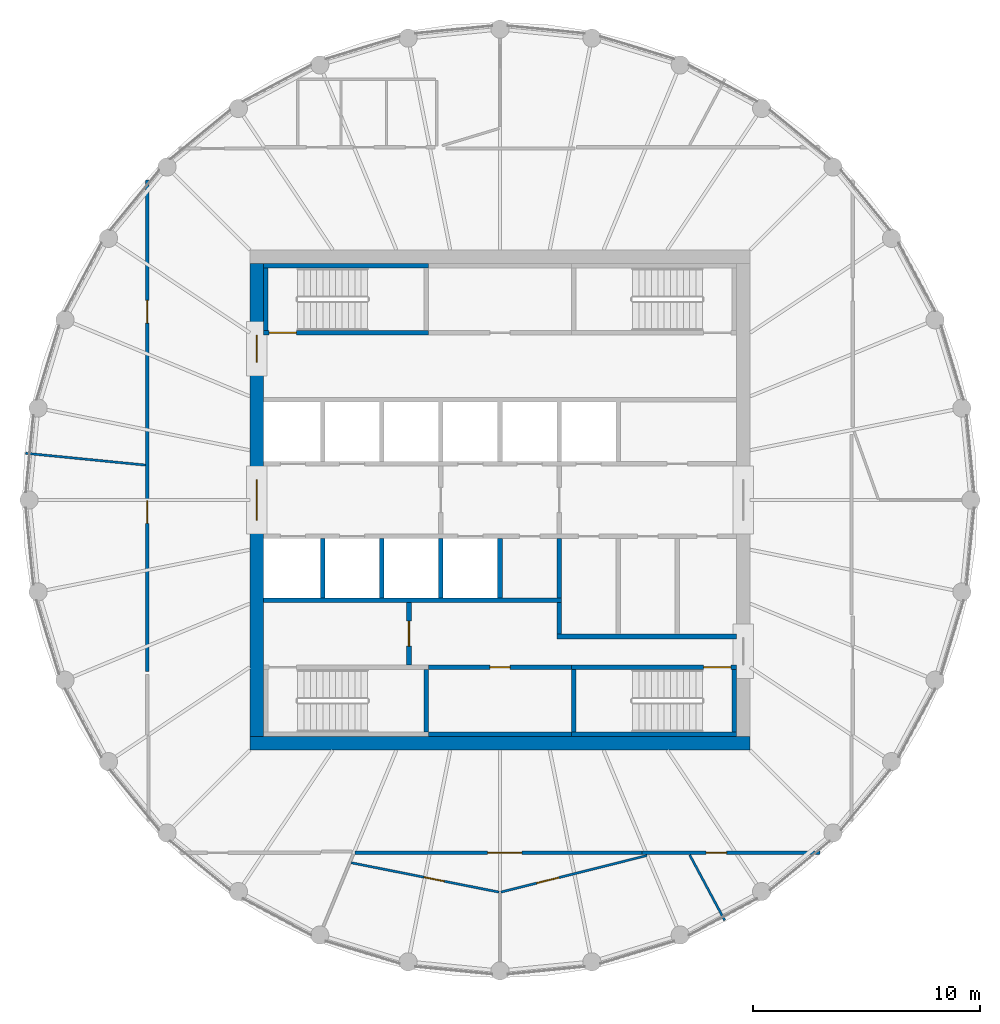
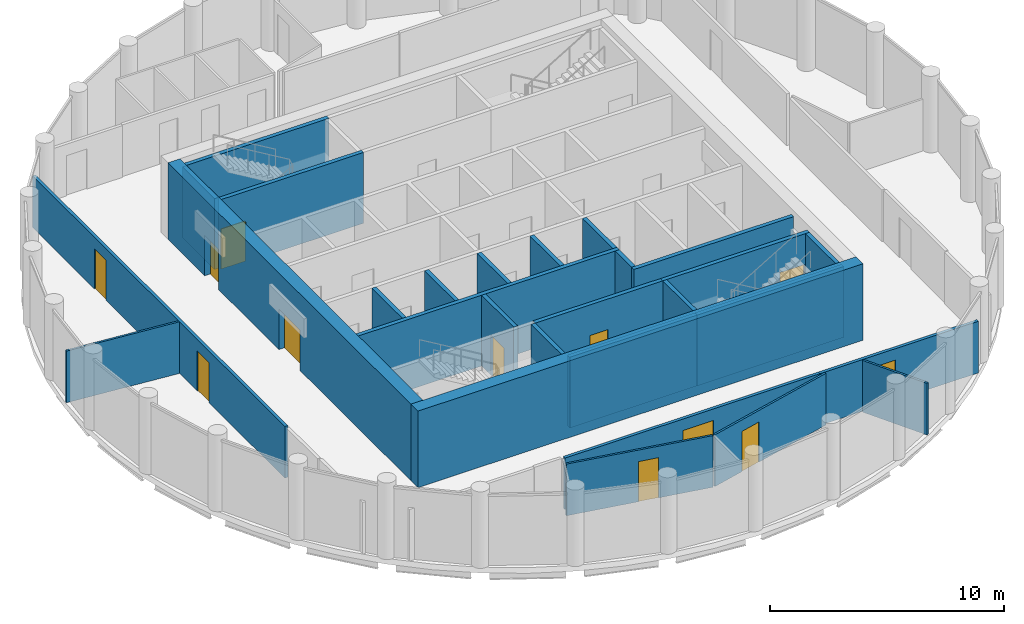
# One storey, part 4 of 7: 28 walls, 12 doors, 12 openings.
"""IFC4 building model written with IfcOpenShell, lengths in metres."""

from ifc_helpers import new_model, si_unit, direction, frame, frame_2d, origin, place, context, subcontext, project, spatial, polyline, rectangle, outline, extrude, material, layer, layer_set, type_object, element, fill, save


model = new_model("IFC4")

# Units and contexts
model_context = context("Model", 3, precision=1e-05, world=origin(), true_north=direction((0.0, 1.0)))
body_context = subcontext(model_context, "Body", "Model", "MODEL_VIEW")
ifc_project = project(units=[si_unit("LENGTHUNIT", "METRE"), si_unit("AREAUNIT", "SQUARE_METRE"), si_unit("VOLUMEUNIT", "CUBIC_METRE"), si_unit("PLANEANGLEUNIT", "RADIAN"), si_unit("MASSUNIT", "GRAM", prefix="KILO")], contexts=[model_context])

# Site, building, storey
site_placement = place(None, origin())
site = spatial("IfcSite", under=ifc_project, at=site_placement, CompositionType="ELEMENT")
building_placement = place(site_placement, origin())
building = spatial("IfcBuilding", under=site, at=building_placement, Name="Corvane Civic Tower", CompositionType="ELEMENT")
storey_placement = place(building_placement, frame((0.0, 0.0, 364.5)))
storey = spatial("IfcBuildingStorey", under=building, at=storey_placement, Name="L87", CompositionType="ELEMENT", Elevation=364.5)

# Wall
ifc_material_1 = material(Name="Concrete C40/50", Category="concrete")
ifc_layer_1 = layer(ifc_material_1, 0.60009765625)
ifc_layer_set_1 = layer_set([ifc_layer_1], Name="Concrete C40/50")
wall_type_1 = type_object("IfcWallType", Name="CORE WALL 600 C40/50", PredefinedType="SHEAR", material=ifc_layer_set_1)
wall_1_placement = place(storey_placement, frame((-11.0, -10.699951171875, 0.0), z_axis=(0.0, 0.0, 1.0), x_axis=(1.0, 0.0, 0.0)))
element("IfcWall", 1, at=wall_1_placement, inside=storey, type_object=wall_type_1, Name="W-L87-core-S", PredefinedType="SHEAR", context=body_context, shape_type="SweptSolid", body=[
    extrude(rectangle(XDim=22.0, YDim=0.60009765625, at=frame_2d((11.0, 0.0))), origin(), (0.0, 0.0, 1.0), 4.0),
])

# Wall, openings, doors
wall_2_placement = place(storey_placement, frame((-10.699951171875, -10.39990234375, 0.0), z_axis=(0.0, 0.0, 1.0), x_axis=(0.0, 1.0, 0.0)))
wall_2 = element("IfcWall", 2, at=wall_2_placement, inside=storey, type_object=wall_type_1, Name="W-L87-core-W", PredefinedType="SHEAR", context=body_context, shape_type="SweptSolid", body=[
    extrude(rectangle(XDim=20.7998046875, YDim=0.60009765625, at=frame_2d((10.39990234375, 0.0))), origin(), (0.0, 0.0, 1.0), 4.0),
])
opening_1_placement = place(wall_2_placement, frame((9.5, 0.0, 0.0)))
opening_1 = element("IfcOpeningElement", 3, at=opening_1_placement, cuts=wall_2, Name="Opening L87.C15", PredefinedType="OPENING", context=body_context, shape_type="SweptSolid", body=[
    extrude(rectangle(XDim=1.800048828125, YDim=2.10009765625, at=frame_2d((0.89990234375, 1.050048828125))), frame((0.0, 0.31005859375, 0.0), z_axis=(0.0, -1.0, 0.0), x_axis=(1.0, 0.0, 0.0)), (0.0, 0.0, 1.0), 0.6201171875),
])
opening_2_placement = place(wall_2_placement, frame((16.449951171875, 0.0, 0.0)))
opening_2 = element("IfcOpeningElement", 4, at=opening_2_placement, cuts=wall_2, Name="Opening L87.C17", PredefinedType="OPENING", context=body_context, shape_type="SweptSolid", body=[
    extrude(rectangle(XDim=1.199951171875, YDim=2.10009765625, at=frame_2d((0.60009765625, 1.050048828125))), frame((0.0, 0.31005859375, 0.0), z_axis=(0.0, -1.0, 0.0), x_axis=(1.0, 0.0, 0.0)), (0.0, 0.0, 1.0), 0.6201171875),
])
ifc_material_2 = material(Name="Steel fire door leaf", Category="steel")
door_type_1 = type_object("IfcDoorType", Name="CR-DOOR-CORE-1800", OperationType="DOUBLE_DOOR_SINGLE_SWING", PredefinedType="DOOR", material=ifc_material_2)
door_1_placement = place(opening_1_placement, origin())
door_1 = element("IfcDoor", 5, at=door_1_placement, inside=storey, type_object=door_type_1, Name="L87 door", OperationType="DOUBLE_DOOR_SINGLE_SWING", OverallHeight=2.10009765625, OverallWidth=1.800048828125, PredefinedType="DOOR", context=body_context, shape_type="SweptSolid", body=[
    extrude(rectangle(XDim=1.800048828125, YDim=2.10009765625, at=frame_2d((0.89990234375, 1.050048828125))), frame((0.0, 0.02490234375, 0.0), z_axis=(0.0, -1.0, 0.0), x_axis=(1.0, 0.0, 0.0)), (0.0, 0.0, 1.0), 0.050048828125),
])
fill(opening_1, door_1)
door_2_placement = place(opening_2_placement, origin())
door_2 = element("IfcDoor", 6, at=door_2_placement, inside=storey, type_object=door_type_1, Name="L87 door", OperationType="DOUBLE_DOOR_SINGLE_SWING", OverallHeight=2.10009765625, OverallWidth=1.199951171875, PredefinedType="DOOR", context=body_context, shape_type="SweptSolid", body=[
    extrude(rectangle(XDim=1.199951171875, YDim=2.10009765625, at=frame_2d((0.60009765625, 1.050048828125))), frame((0.0, 0.02490234375, 0.0), z_axis=(0.0, -1.0, 0.0), x_axis=(1.0, 0.0, 0.0)), (0.0, 0.0, 1.0), 0.050048828125),
])
fill(opening_2, door_2)

# Wall, opening, door
ifc_material_3 = material(Name="Concrete C30/37", Category="concrete")
ifc_layer_2 = layer(ifc_material_3, 0.199951171875)
ifc_layer_set_2 = layer_set([ifc_layer_2], Name="Concrete C30/37")
wall_type_2 = type_object("IfcWallType", Name="CR-WALL-200", PredefinedType="PARTITIONING", material=ifc_layer_set_2)
wall_3_placement = place(storey_placement, frame((-3.14990234375, -7.35009765625, 0.0), z_axis=(0.0, 0.0, 1.0), x_axis=(1.0, 0.0, 0.0)))
wall_3 = element("IfcWall", 7, at=wall_3_placement, inside=storey, type_object=wall_type_2, Name="L87 core partition wall", PredefinedType="PARTITIONING", context=body_context, shape_type="SweptSolid", body=[
    extrude(rectangle(XDim=6.2998046875, YDim=0.199951171875, at=frame_2d((3.14990234375, 0.0))), origin(), (0.0, 0.0, 1.0), 3.699951171875),
])
opening_3_placement = place(wall_3_placement, frame((2.699951171875, 0.0, 0.0)))
opening_3 = element("IfcOpeningElement", 8, at=opening_3_placement, cuts=wall_3, Name="Opening L87.C07", PredefinedType="OPENING", context=body_context, shape_type="SweptSolid", body=[
    extrude(rectangle(XDim=0.89990234375, YDim=2.10009765625, at=frame_2d((0.449951171875, 1.050048828125))), frame((0.0, 0.10986328125, 0.0), z_axis=(0.0, -1.0, 0.0), x_axis=(1.0, 0.0, 0.0)), (0.0, 0.0, 1.0), 0.219970703125),
])
ifc_material_4 = material(Name="Steel fire door leaf", Category="steel")
door_type_2 = type_object("IfcDoorType", Name="CR-DOOR-900", OperationType="SINGLE_SWING_LEFT", PredefinedType="DOOR", material=ifc_material_4)
door_3_placement = place(opening_3_placement, origin())
door_3 = element("IfcDoor", 9, at=door_3_placement, inside=storey, type_object=door_type_2, Name="L87 door", OperationType="SINGLE_SWING_LEFT", OverallHeight=2.10009765625, OverallWidth=0.89990234375, PredefinedType="DOOR", context=body_context, shape_type="SweptSolid", body=[
    extrude(rectangle(XDim=0.89990234375, YDim=2.10009765625, at=frame_2d((0.449951171875, 1.050048828125))), frame((0.0, 0.02490234375, 0.0), z_axis=(0.0, -1.0, 0.0), x_axis=(1.0, 0.0, 0.0)), (0.0, 0.0, 1.0), 0.050048828125),
])
fill(opening_3, door_3)

wall_4_placement = place(storey_placement, frame((-4.0, -7.25, 0.0), z_axis=(0.0, 0.0, 1.0), x_axis=(0.0, 1.0, 0.0)))
wall_4 = element("IfcWall", 10, at=wall_4_placement, inside=storey, type_object=wall_type_2, Name="L87 core partition wall", PredefinedType="PARTITIONING", context=body_context, shape_type="SweptSolid", body=[
    extrude(rectangle(XDim=2.75, YDim=0.199951171875, at=frame_2d((1.375, 0.0))), origin(), (0.0, 0.0, 1.0), 3.699951171875),
])
opening_4_placement = place(wall_4_placement, frame((0.824951171875, 0.0, 0.0)))
opening_4 = element("IfcOpeningElement", 11, at=opening_4_placement, cuts=wall_4, Name="Opening L87.C14", PredefinedType="OPENING", context=body_context, shape_type="SweptSolid", body=[
    extrude(rectangle(XDim=1.10009765625, YDim=2.10009765625, at=frame_2d((0.550048828125, 1.050048828125))), frame((0.0, 0.10986328125, 0.0), z_axis=(0.0, -1.0, 0.0), x_axis=(1.0, 0.0, 0.0)), (0.0, 0.0, 1.0), 0.219970703125),
])
ifc_material_5 = material(Name="Steel fire door leaf", Category="steel")
door_type_3 = type_object("IfcDoorType", Name="CR-DOOR-FFL-1100", OperationType="SINGLE_SWING_LEFT", PredefinedType="DOOR", material=ifc_material_5)
door_4_placement = place(opening_4_placement, origin())
door_4 = element("IfcDoor", 12, at=door_4_placement, inside=storey, type_object=door_type_3, Name="L87 lobby door", OperationType="SINGLE_SWING_LEFT", OverallHeight=2.10009765625, OverallWidth=1.10009765625, PredefinedType="DOOR", context=body_context, shape_type="SweptSolid", body=[
    extrude(rectangle(XDim=1.10009765625, YDim=2.10009765625, at=frame_2d((0.550048828125, 1.050048828125))), frame((0.0, 0.02490234375, 0.0), z_axis=(0.0, -1.0, 0.0), x_axis=(1.0, 0.0, 0.0)), (0.0, 0.0, 1.0), 0.050048828125),
])
fill(opening_4, door_4)

# Walls
wall_5_placement = place(storey_placement, origin())
element("IfcWall", 13, at=wall_5_placement, inside=storey, type_object=wall_type_2, Name="L87 core partition wall", PredefinedType="PARTITIONING", context=body_context, shape_type="SweptSolid", body=[
    extrude(outline(polyline([(2.699951171875, -4.300048828125), (2.699951171875, -4.5), (-10.39990234375, -4.5), (-10.39990234375, -4.300048828125), (2.699951171875, -4.300048828125)])), origin(), (0.0, 0.0, 1.0), 3.699951171875),
])
wall_6_placement = place(storey_placement, origin())
element("IfcWall", 14, at=wall_6_placement, inside=storey, type_object=wall_type_2, Name="L87 core partition wall", PredefinedType="PARTITIONING", context=body_context, shape_type="SweptSolid", body=[
    extrude(outline(polyline([(10.39990234375, -6.10009765625), (2.5, -6.10009765625), (2.5, -5.89990234375), (10.39990234375, -5.89990234375), (10.39990234375, -6.10009765625)])), origin(), (0.0, 0.0, 1.0), 3.699951171875),
])
wall_7_placement = place(storey_placement, origin())
element("IfcWall", 15, at=wall_7_placement, inside=storey, type_object=wall_type_2, Name="L87 core partition wall", PredefinedType="PARTITIONING", context=body_context, shape_type="SweptSolid", body=[
    extrude(outline(polyline([(-2.5, -1.699951171875), (-2.5, -4.2998046875), (-2.699951171875, -4.2998046875), (-2.699951171875, -1.699951171875), (-2.5, -1.699951171875)])), origin(), (0.0, 0.0, 1.0), 3.699951171875),
])
wall_8_placement = place(storey_placement, origin())
element("IfcWall", 16, at=wall_8_placement, inside=storey, type_object=wall_type_2, Name="L87 core partition wall", PredefinedType="PARTITIONING", context=body_context, shape_type="SweptSolid", body=[
    extrude(outline(polyline([(2.699951171875, -1.699951171875), (2.699951171875, -4.2998046875), (2.5, -4.2998046875), (2.5, -1.699951171875), (2.699951171875, -1.699951171875)])), origin(), (0.0, 0.0, 1.0), 3.699951171875),
])
wall_9_placement = place(storey_placement, origin())
element("IfcWall", 17, at=wall_9_placement, inside=storey, type_object=wall_type_2, Name="L87 core partition wall", PredefinedType="PARTITIONING", context=body_context, shape_type="SweptSolid", body=[
    extrude(outline(polyline([(0.10009765625, -1.699951171875), (0.10009765625, -4.2998046875), (-0.10009765625, -4.2998046875), (-0.10009765625, -1.699951171875), (0.10009765625, -1.699951171875)])), origin(), (0.0, 0.0, 1.0), 3.699951171875),
])
wall_10_placement = place(storey_placement, origin())
element("IfcWall", 18, at=wall_10_placement, inside=storey, type_object=wall_type_2, Name="L87 core partition wall", PredefinedType="PARTITIONING", context=body_context, shape_type="SweptSolid", body=[
    extrude(outline(polyline([(-7.699951171875, -1.699951171875), (-7.699951171875, -4.2998046875), (-7.89990234375, -4.2998046875), (-7.89990234375, -1.699951171875), (-7.699951171875, -1.699951171875)])), origin(), (0.0, 0.0, 1.0), 3.699951171875),
])
wall_11_placement = place(storey_placement, origin())
element("IfcWall", 19, at=wall_11_placement, inside=storey, type_object=wall_type_2, Name="L87 core partition wall", PredefinedType="PARTITIONING", context=body_context, shape_type="SweptSolid", body=[
    extrude(outline(polyline([(-5.10009765625, -1.699951171875), (-5.10009765625, -4.2998046875), (-5.300048828125, -4.2998046875), (-5.300048828125, -1.699951171875), (-5.10009765625, -1.699951171875)])), origin(), (0.0, 0.0, 1.0), 3.699951171875),
])
wall_12_placement = place(storey_placement, origin())
element("IfcWall", 20, at=wall_12_placement, inside=storey, type_object=wall_type_2, Name="L87 core partition wall", PredefinedType="PARTITIONING", context=body_context, shape_type="SweptSolid", body=[
    extrude(outline(polyline([(2.699951171875, -5.89990234375), (2.5, -5.89990234375), (2.5, -4.5), (2.699951171875, -4.5), (2.699951171875, -5.89990234375)])), origin(), (0.0, 0.0, 1.0), 3.699951171875),
])
wall_13_placement = place(storey_placement, origin())
element("IfcWall", 21, at=wall_13_placement, inside=storey, type_object=wall_type_2, Name="L87 core partition wall", PredefinedType="PARTITIONING", context=body_context, shape_type="SweptSolid", body=[
    extrude(outline(polyline([(3.14990234375, -10.199951171875), (3.14990234375, -10.39990234375), (-3.14990234375, -10.39990234375), (-3.14990234375, -10.199951171875), (3.14990234375, -10.199951171875)])), origin(), (0.0, 0.0, 1.0), 3.699951171875),
])
ifc_material_6 = material(Name="Plasterboard")
ifc_layer_3 = layer(ifc_material_6, 0.10009765625)
ifc_layer_set_3 = layer_set([ifc_layer_3], Name="Plasterboard")
wall_type_3 = type_object("IfcWallType", Name="Partition 100 plasterboard on studs", PredefinedType="PARTITIONING", material=ifc_layer_set_3)
wall_14_placement = place(storey_placement, frame((8.337646484375, -15.5986328125, 0.0), z_axis=(0.0, 0.0, 1.0), x_axis=(0.471438475103, -0.881898953505, 0.0)))
element("IfcWall", 22, at=wall_14_placement, inside=storey, type_object=wall_type_3, Name="Partition L87.003", PredefinedType="PARTITIONING", context=body_context, shape_type="SweptSolid", body=[
    extrude(rectangle(XDim=3.262939453125, YDim=0.10009765625, at=frame_2d((1.63134765625, 0.0))), origin(), (0.0, 0.0, 1.0), 2.699951171875),
])

# Wall, opening, door
wall_15_placement = place(storey_placement, frame((-6.539794921875, -15.94482421875, 0.0), z_axis=(0.0, 0.0, 1.0), x_axis=(0.980781368201, -0.195109988956, 0.0)))
wall_15 = element("IfcWall", 23, at=wall_15_placement, inside=storey, type_object=wall_type_3, Name="Partition L87.004", PredefinedType="PARTITIONING", context=body_context, shape_type="SweptSolid", body=[
    extrude(rectangle(XDim=6.626953125, YDim=0.10009765625, at=frame_2d((3.3134765625, 0.0))), origin(), (0.0, 0.0, 1.0), 2.699951171875),
])
opening_5_placement = place(wall_15_placement, frame((3.2666015625, 0.0, 0.0)))
opening_5 = element("IfcOpeningElement", 24, at=opening_5_placement, cuts=wall_15, Name="Opening L87.014", PredefinedType="OPENING", context=body_context, shape_type="SweptSolid", body=[
    extrude(rectangle(XDim=0.89990234375, YDim=2.10009765625, at=frame_2d((0.449951171875, 1.050048828125))), frame((0.0, 0.06005859375, 0.0), z_axis=(0.0, -1.0, 0.0), x_axis=(1.0, 0.0, 0.0)), (0.0, 0.0, 1.0), 0.1201171875),
])
ifc_material_7 = material(Name="Timber", Category="wood")
door_type_4 = type_object("IfcDoorType", Name="Single door 900", OperationType="NOTDEFINED", PredefinedType="DOOR", material=ifc_material_7)
door_5_placement = place(opening_5_placement, frame((0.89990234375, 0.0, 0.0), z_axis=(0.0, 0.0, 1.0), x_axis=(-1.0, 0.0, 0.0)))
door_5 = element("IfcDoor", 25, at=door_5_placement, inside=storey, type_object=door_type_4, Name="Door L87.014", OperationType="SINGLE_SWING_LEFT", OverallHeight=2.10009765625, OverallWidth=0.89990234375, PredefinedType="DOOR", context=body_context, shape_type="SweptSolid", body=[
    extrude(rectangle(XDim=0.89990234375, YDim=2.10009765625, at=frame_2d((0.449951171875, 1.050048828125))), frame((0.0, 0.02490234375, 0.0), z_axis=(0.0, -1.0, 0.0), x_axis=(1.0, 0.0, 0.0)), (0.0, 0.0, 1.0), 0.050048828125),
])
fill(opening_5, door_5)

wall_16_placement = place(storey_placement, frame((0.037841796875, -17.236328125, 0.0), z_axis=(0.0, 0.0, 1.0), x_axis=(0.970031803934, 0.242977981216, 0.0)))
wall_16 = element("IfcWall", 26, at=wall_16_placement, inside=storey, type_object=wall_type_3, Name="Partition L87.005", PredefinedType="PARTITIONING", context=body_context, shape_type="SweptSolid", body=[
    extrude(rectangle(XDim=6.62255859375, YDim=0.10009765625, at=frame_2d((3.311279296875, 0.0))), origin(), (0.0, 0.0, 1.0), 2.699951171875),
])
opening_6_placement = place(wall_16_placement, frame((1.625244140625, 0.0, 0.0)))
opening_6 = element("IfcOpeningElement", 27, at=opening_6_placement, cuts=wall_16, Name="Opening L87.013", PredefinedType="OPENING", context=body_context, shape_type="SweptSolid", body=[
    extrude(rectangle(XDim=1.0, YDim=2.10009765625, at=frame_2d((0.5, 1.050048828125))), frame((0.0, 0.06005859375, 0.0), z_axis=(0.0, -1.0, 0.0), x_axis=(1.0, 0.0, 0.0)), (0.0, 0.0, 1.0), 0.1201171875),
])
ifc_material_8 = material(Name="Timber", Category="wood")
door_type_5 = type_object("IfcDoorType", Name="Single door 1000", OperationType="NOTDEFINED", PredefinedType="DOOR", material=ifc_material_8)
door_6_placement = place(opening_6_placement, frame((1.0, 0.0, 0.0), z_axis=(0.0, 0.0, 1.0), x_axis=(-1.0, 0.0, 0.0)))
door_6 = element("IfcDoor", 28, at=door_6_placement, inside=storey, type_object=door_type_5, Name="Door L87.013", OperationType="SINGLE_SWING_RIGHT", OverallHeight=2.10009765625, OverallWidth=1.0, PredefinedType="DOOR", context=body_context, shape_type="SweptSolid", body=[
    extrude(rectangle(XDim=1.0, YDim=2.10009765625, at=frame_2d((0.5, 1.050048828125))), frame((0.0, 0.02490234375, 0.0), z_axis=(0.0, -1.0, 0.0), x_axis=(1.0, 0.0, 0.0)), (0.0, 0.0, 1.0), 0.050048828125),
])
fill(opening_6, door_6)

# Wall
wall_17_placement = place(storey_placement, frame((-20.849365234375, 2.053466796875, 0.0), z_axis=(0.0, 0.0, 1.0), x_axis=(0.995184000064, -0.098024517427, 0.0)))
element("IfcWall", 29, at=wall_17_placement, inside=storey, type_object=wall_type_3, Name="Partition L87.018", PredefinedType="PARTITIONING", context=body_context, shape_type="SweptSolid", body=[
    extrude(rectangle(XDim=5.294921875, YDim=0.10009765625, at=frame_2d((2.6474609375, 0.0))), origin(), (0.0, 0.0, 1.0), 2.699951171875),
])

# Wall, opening, door
ifc_material_9 = material(Name="Concrete C50/60", Category="concrete")
ifc_layer_4 = layer(ifc_material_9, 0.199951171875)
ifc_layer_set_4 = layer_set([ifc_layer_4], Name="Concrete C50/60")
wall_type_4 = type_object("IfcWallType", Name="ST-WALL-200", PredefinedType="SHEAR", material=ifc_layer_set_4)
wall_18_placement = place(storey_placement, frame((3.14990234375, -7.35009765625, 0.0), z_axis=(0.0, 0.0, 1.0), x_axis=(1.0, 0.0, 0.0)))
wall_18 = element("IfcWall", 30, at=wall_18_placement, inside=storey, type_object=wall_type_4, Name="L87 stair enclosure wall", PredefinedType="SHEAR", context=body_context, shape_type="SweptSolid", body=[
    extrude(rectangle(XDim=7.25, YDim=0.199951171875, at=frame_2d((3.625, 0.0))), origin(), (0.0, 0.0, 1.0), 3.699951171875),
])
opening_7_placement = place(wall_18_placement, frame((5.800048828125, 0.0, 0.0)))
opening_7 = element("IfcOpeningElement", 31, at=opening_7_placement, cuts=wall_18, Name="Opening L87.C10", PredefinedType="OPENING", context=body_context, shape_type="SweptSolid", body=[
    extrude(rectangle(XDim=1.199951171875, YDim=2.10009765625, at=frame_2d((0.60009765625, 1.050048828125))), frame((0.0, 0.10986328125, 0.0), z_axis=(0.0, -1.0, 0.0), x_axis=(1.0, 0.0, 0.0)), (0.0, 0.0, 1.0), 0.219970703125),
])
ifc_material_10 = material(Name="Steel fire door leaf", Category="steel")
door_type_6 = type_object("IfcDoorType", Name="ST-DOOR-1200", OperationType="SINGLE_SWING_RIGHT", PredefinedType="DOOR", material=ifc_material_10)
door_7_placement = place(opening_7_placement, origin())
door_7 = element("IfcDoor", 32, at=door_7_placement, inside=storey, type_object=door_type_6, Name="L87 stair door", OperationType="SINGLE_SWING_RIGHT", OverallHeight=2.10009765625, OverallWidth=1.199951171875, PredefinedType="DOOR", context=body_context, shape_type="SweptSolid", body=[
    extrude(rectangle(XDim=1.199951171875, YDim=2.10009765625, at=frame_2d((0.60009765625, 1.050048828125))), frame((0.0, 0.02490234375, 0.0), z_axis=(0.0, -1.0, 0.0), x_axis=(1.0, 0.0, 0.0)), (0.0, 0.0, 1.0), 0.050048828125),
])
fill(opening_7, door_7)

wall_19_placement = place(storey_placement, frame((-10.39990234375, 7.35009765625, 0.0), z_axis=(0.0, 0.0, 1.0), x_axis=(1.0, 0.0, 0.0)))
wall_19 = element("IfcWall", 33, at=wall_19_placement, inside=storey, type_object=wall_type_4, Name="L87 stair enclosure wall", PredefinedType="SHEAR", context=body_context, shape_type="SweptSolid", body=[
    extrude(rectangle(XDim=7.25, YDim=0.199951171875, at=frame_2d((3.625, 0.0))), origin(), (0.0, 0.0, 1.0), 3.699951171875),
])
opening_8_placement = place(wall_19_placement, frame((0.25, 0.0, 0.0)))
opening_8 = element("IfcOpeningElement", 34, at=opening_8_placement, cuts=wall_19, Name="Opening L87.C09", PredefinedType="OPENING", context=body_context, shape_type="SweptSolid", body=[
    extrude(rectangle(XDim=1.199951171875, YDim=2.10009765625, at=frame_2d((0.60009765625, 1.050048828125))), frame((0.0, 0.10986328125, 0.0), z_axis=(0.0, -1.0, 0.0), x_axis=(1.0, 0.0, 0.0)), (0.0, 0.0, 1.0), 0.219970703125),
])
door_8_placement = place(opening_8_placement, origin())
door_8 = element("IfcDoor", 35, at=door_8_placement, inside=storey, type_object=door_type_6, Name="L87 stair door", OperationType="SINGLE_SWING_RIGHT", OverallHeight=2.10009765625, OverallWidth=1.199951171875, PredefinedType="DOOR", context=body_context, shape_type="SweptSolid", body=[
    extrude(rectangle(XDim=1.199951171875, YDim=2.10009765625, at=frame_2d((0.60009765625, 1.050048828125))), frame((0.0, 0.02490234375, 0.0), z_axis=(0.0, -1.0, 0.0), x_axis=(1.0, 0.0, 0.0)), (0.0, 0.0, 1.0), 0.050048828125),
])
fill(opening_8, door_8)

# Walls
wall_20_placement = place(storey_placement, origin())
element("IfcWall", 36, at=wall_20_placement, inside=storey, type_object=wall_type_4, Name="L87 stair enclosure wall", PredefinedType="SHEAR", context=body_context, shape_type="SweptSolid", body=[
    extrude(outline(polyline([(-3.14990234375, 10.199951171875), (-10.39990234375, 10.199951171875), (-10.39990234375, 10.39990234375), (-3.14990234375, 10.39990234375), (-3.14990234375, 10.199951171875)])), origin(), (0.0, 0.0, 1.0), 3.699951171875),
])
wall_21_placement = place(storey_placement, origin())
element("IfcWall", 37, at=wall_21_placement, inside=storey, type_object=wall_type_4, Name="L87 stair enclosure wall", PredefinedType="SHEAR", context=body_context, shape_type="SweptSolid", body=[
    extrude(outline(polyline([(10.39990234375, -10.39990234375), (3.14990234375, -10.39990234375), (3.14990234375, -10.199951171875), (10.39990234375, -10.199951171875), (10.39990234375, -10.39990234375)])), origin(), (0.0, 0.0, 1.0), 3.699951171875),
])
wall_22_placement = place(storey_placement, origin())
element("IfcWall", 38, at=wall_22_placement, inside=storey, type_object=wall_type_4, Name="L87 stair enclosure wall", PredefinedType="SHEAR", context=body_context, shape_type="SweptSolid", body=[
    extrude(outline(polyline([(-3.14990234375, -7.449951171875), (-3.14990234375, -10.199951171875), (-3.35009765625, -10.199951171875), (-3.35009765625, -7.449951171875), (-3.14990234375, -7.449951171875)])), origin(), (0.0, 0.0, 1.0), 3.699951171875),
])
wall_23_placement = place(storey_placement, origin())
element("IfcWall", 39, at=wall_23_placement, inside=storey, type_object=wall_type_4, Name="L87 stair enclosure wall", PredefinedType="SHEAR", context=body_context, shape_type="SweptSolid", body=[
    extrude(outline(polyline([(3.35009765625, -7.449951171875), (3.35009765625, -10.199951171875), (3.14990234375, -10.199951171875), (3.14990234375, -7.449951171875), (3.35009765625, -7.449951171875)])), origin(), (0.0, 0.0, 1.0), 3.699951171875),
])
wall_24_placement = place(storey_placement, origin())
element("IfcWall", 40, at=wall_24_placement, inside=storey, type_object=wall_type_4, Name="L87 stair enclosure wall", PredefinedType="SHEAR", context=body_context, shape_type="SweptSolid", body=[
    extrude(outline(polyline([(-10.199951171875, 7.449951171875), (-10.39990234375, 7.449951171875), (-10.39990234375, 10.199951171875), (-10.199951171875, 10.199951171875), (-10.199951171875, 7.449951171875)])), origin(), (0.0, 0.0, 1.0), 3.699951171875),
])
wall_25_placement = place(storey_placement, origin())
element("IfcWall", 41, at=wall_25_placement, inside=storey, type_object=wall_type_4, Name="L87 stair enclosure wall", PredefinedType="SHEAR", context=body_context, shape_type="SweptSolid", body=[
    extrude(outline(polyline([(10.39990234375, -7.449951171875), (10.39990234375, -10.199951171875), (10.199951171875, -10.199951171875), (10.199951171875, -7.449951171875), (10.39990234375, -7.449951171875)])), origin(), (0.0, 0.0, 1.0), 3.699951171875),
])

# Wall, opening, door
ifc_material_11 = material(Name="Plasterboard")
ifc_layer_5 = layer(ifc_material_11, 0.14990234375)
ifc_layer_set_5 = layer_set([ifc_layer_5], Name="Plasterboard")
wall_type_5 = type_object("IfcWallType", Name="Tenancy wall 150 EI 60", PredefinedType="PARTITIONING", material=ifc_layer_set_5)
wall_26_placement = place(storey_placement, frame((-6.3701171875, -15.5, 0.0), z_axis=(0.0, 0.0, 1.0), x_axis=(1.0, 0.0, 0.0)))
wall_26 = element("IfcWall", 42, at=wall_26_placement, inside=storey, type_object=wall_type_5, Name="Partition L87.007", PredefinedType="PARTITIONING", context=body_context, shape_type="SweptSolid", body=[
    extrude(rectangle(XDim=12.603759765625, YDim=0.14990234375, at=frame_2d((6.3017578125, 0.0))), origin(), (0.0, 0.0, 1.0), 2.699951171875),
])
opening_9_placement = place(wall_26_placement, frame((5.83056640625, 0.0, 0.0)))
opening_9 = element("IfcOpeningElement", 43, at=opening_9_placement, cuts=wall_26, Name="Opening L87.015", PredefinedType="OPENING", context=body_context, shape_type="SweptSolid", body=[
    extrude(rectangle(XDim=1.5, YDim=2.10009765625, at=frame_2d((0.75, 1.050048828125))), frame((0.0, 0.0849609375, 0.0), z_axis=(0.0, -1.0, 0.0), x_axis=(1.0, 0.0, 0.0)), (0.0, 0.0, 1.0), 0.169921875),
])
ifc_material_12 = material(Name="Steel and timber", Category="steel")
door_type_7 = type_object("IfcDoorType", Name="Fire door FD60 double 1500", OperationType="NOTDEFINED", PredefinedType="DOOR", material=ifc_material_12)
door_9_placement = place(opening_9_placement, frame((1.5, 0.0, 0.0), z_axis=(0.0, 0.0, 1.0), x_axis=(-1.0, 0.0, 0.0)))
door_9 = element("IfcDoor", 44, at=door_9_placement, inside=storey, type_object=door_type_7, Name="Door L87.015", OperationType="DOUBLE_DOOR_SINGLE_SWING", OverallHeight=2.10009765625, OverallWidth=1.5, PredefinedType="DOOR", context=body_context, shape_type="SweptSolid", body=[
    extrude(rectangle(XDim=1.5, YDim=2.10009765625, at=frame_2d((0.75, 1.050048828125))), frame((0.0, 0.02490234375, 0.0), z_axis=(0.0, -1.0, 0.0), x_axis=(1.0, 0.0, 0.0)), (0.0, 0.0, 1.0), 0.050048828125),
])
fill(opening_9, door_9)

wall_27_placement = place(storey_placement, frame((6.233642578125, -15.5, 0.0), z_axis=(0.0, 0.0, 1.0), x_axis=(1.0, 0.0, 0.0)))
wall_27 = element("IfcWall", 45, at=wall_27_placement, inside=storey, type_object=wall_type_5, Name="Partition L87.008", PredefinedType="PARTITIONING", context=body_context, shape_type="SweptSolid", body=[
    extrude(rectangle(XDim=7.823486328125, YDim=0.14990234375, at=frame_2d((3.91162109375, 0.0))), origin(), (0.0, 0.0, 1.0), 2.699951171875),
])
opening_10_placement = place(wall_27_placement, frame((2.823486328125, 0.0, 0.0)))
opening_10 = element("IfcOpeningElement", 46, at=opening_10_placement, cuts=wall_27, Name="Opening L87.012", PredefinedType="OPENING", context=body_context, shape_type="SweptSolid", body=[
    extrude(rectangle(XDim=0.89990234375, YDim=2.10009765625, at=frame_2d((0.449951171875, 1.050048828125))), frame((0.0, 0.0849609375, 0.0), z_axis=(0.0, -1.0, 0.0), x_axis=(1.0, 0.0, 0.0)), (0.0, 0.0, 1.0), 0.169921875),
])
ifc_material_13 = material(Name="Steel and timber", Category="steel")
door_type_8 = type_object("IfcDoorType", Name="Fire door FD30S 900", OperationType="NOTDEFINED", PredefinedType="DOOR", material=ifc_material_13)
door_10_placement = place(opening_10_placement, frame((0.89990234375, 0.0, 0.0), z_axis=(0.0, 0.0, 1.0), x_axis=(-1.0, 0.0, 0.0)))
door_10 = element("IfcDoor", 47, at=door_10_placement, inside=storey, type_object=door_type_8, Name="Door L87.012", OperationType="SINGLE_SWING_LEFT", OverallHeight=2.10009765625, OverallWidth=0.89990234375, PredefinedType="DOOR", context=body_context, shape_type="SweptSolid", body=[
    extrude(rectangle(XDim=0.89990234375, YDim=2.10009765625, at=frame_2d((0.449951171875, 1.050048828125))), frame((0.0, 0.02490234375, 0.0), z_axis=(0.0, -1.0, 0.0), x_axis=(1.0, 0.0, 0.0)), (0.0, 0.0, 1.0), 0.050048828125),
])
fill(opening_10, door_10)

# Wall, openings, doors
wall_28_placement = place(storey_placement, frame((-15.5, -7.535400390625, 0.0), z_axis=(0.0, 0.0, 1.0), x_axis=(0.0, 1.0, 0.0)))
wall_28 = element("IfcWall", 48, at=wall_28_placement, inside=storey, type_object=wall_type_5, Name="Partition L87.014", PredefinedType="PARTITIONING", context=body_context, shape_type="SweptSolid", body=[
    extrude(rectangle(XDim=21.592529296875, YDim=0.14990234375, at=frame_2d((10.79638671875, 0.0))), origin(), (0.0, 0.0, 1.0), 2.699951171875),
])
opening_11_placement = place(wall_28_placement, frame((6.5078125, 0.0, 0.0)))
opening_11 = element("IfcOpeningElement", 49, at=opening_11_placement, cuts=wall_28, Name="Opening L87.002", PredefinedType="OPENING", context=body_context, shape_type="SweptSolid", body=[
    extrude(rectangle(XDim=1.0, YDim=2.10009765625, at=frame_2d((0.5, 1.050048828125))), frame((0.0, 0.0849609375, 0.0), z_axis=(0.0, -1.0, 0.0), x_axis=(1.0, 0.0, 0.0)), (0.0, 0.0, 1.0), 0.169921875),
])
opening_12_placement = place(wall_28_placement, frame((15.31201171875, 0.0, 0.0)))
opening_12 = element("IfcOpeningElement", 50, at=opening_12_placement, cuts=wall_28, Name="Opening L87.003", PredefinedType="OPENING", context=body_context, shape_type="SweptSolid", body=[
    extrude(rectangle(XDim=1.0, YDim=2.10009765625, at=frame_2d((0.5, 1.050048828125))), frame((0.0, 0.0849609375, 0.0), z_axis=(0.0, -1.0, 0.0), x_axis=(1.0, 0.0, 0.0)), (0.0, 0.0, 1.0), 0.169921875),
])
ifc_material_14 = material(Name="Steel and timber", Category="steel")
door_type_9 = type_object("IfcDoorType", Name="Fire door FD30S 1000", OperationType="NOTDEFINED", PredefinedType="DOOR", material=ifc_material_14)
door_11_placement = place(opening_11_placement, origin())
door_11 = element("IfcDoor", 51, at=door_11_placement, inside=storey, type_object=door_type_9, Name="Door L87.002", OperationType="SINGLE_SWING_LEFT", OverallHeight=2.10009765625, OverallWidth=1.0, PredefinedType="DOOR", context=body_context, shape_type="SweptSolid", body=[
    extrude(rectangle(XDim=1.0, YDim=2.10009765625, at=frame_2d((0.5, 1.050048828125))), frame((0.0, 0.02490234375, 0.0), z_axis=(0.0, -1.0, 0.0), x_axis=(1.0, 0.0, 0.0)), (0.0, 0.0, 1.0), 0.050048828125),
])
fill(opening_11, door_11)
door_12_placement = place(opening_12_placement, origin())
door_12 = element("IfcDoor", 52, at=door_12_placement, inside=storey, type_object=door_type_9, Name="Door L87.003", OperationType="SINGLE_SWING_LEFT", OverallHeight=2.10009765625, OverallWidth=1.0, PredefinedType="DOOR", context=body_context, shape_type="SweptSolid", body=[
    extrude(rectangle(XDim=1.0, YDim=2.10009765625, at=frame_2d((0.5, 1.050048828125))), frame((0.0, 0.02490234375, 0.0), z_axis=(0.0, -1.0, 0.0), x_axis=(1.0, 0.0, 0.0)), (0.0, 0.0, 1.0), 0.050048828125),
])
fill(opening_12, door_12)

save(model, "model.ifc")
